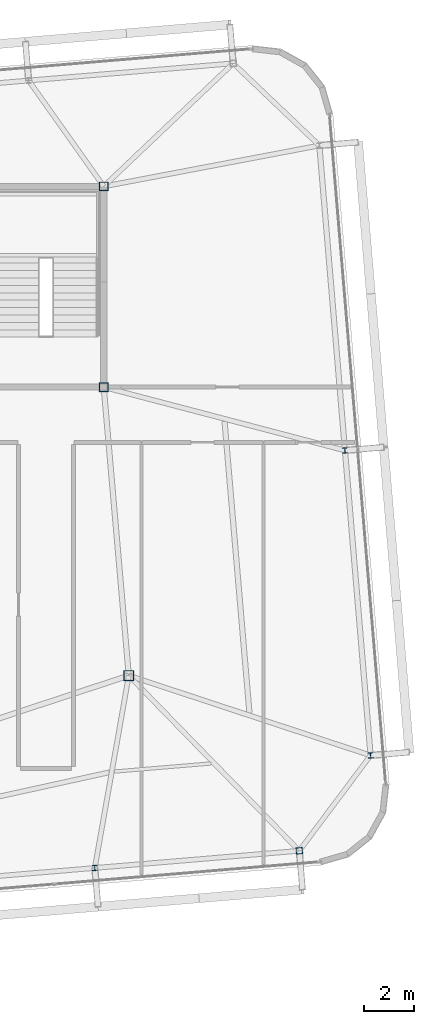
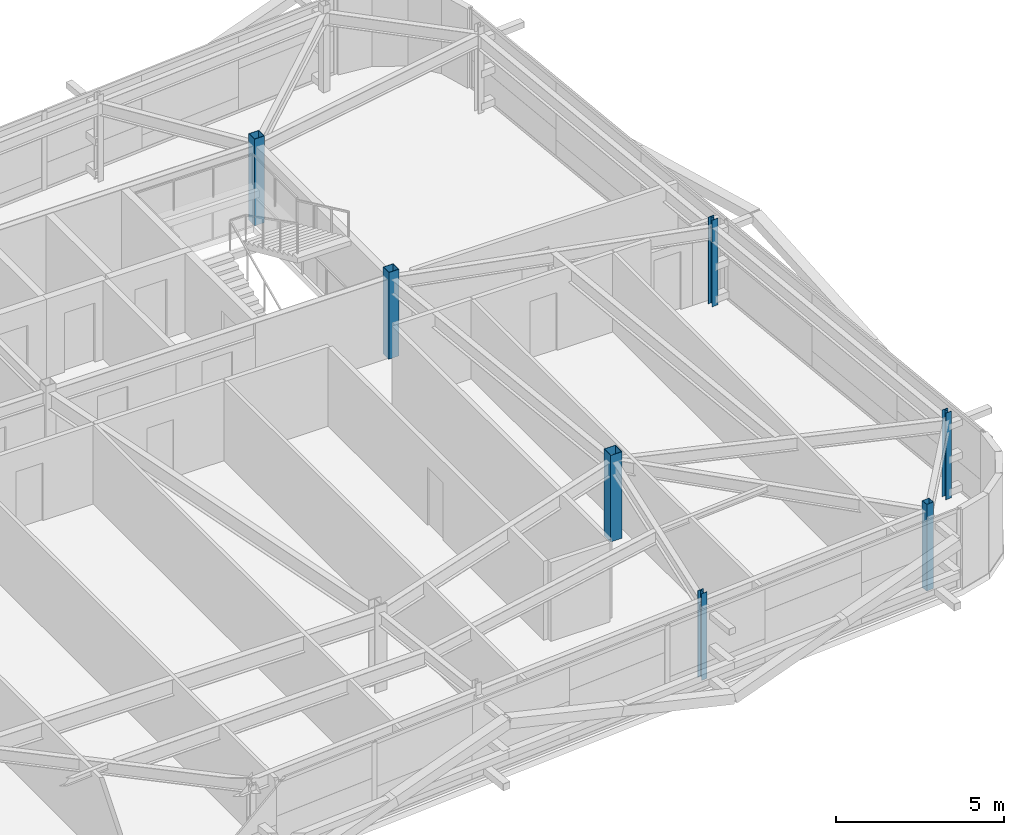
# One storey, part 4 of 39: 7 columns.
"""IFC4 building model written with IfcOpenShell, lengths in metres."""

from ifc_helpers import new_model, si_unit, direction, frame, origin, origin_2d, place, context, subcontext, project, spatial, hollow_rectangle, i_section, extrude, source, transform, mapped, material, material_profile, profile_set, type_object, element, save


model = new_model("IFC4")

# Units and contexts
model_context = context("Model", 3, precision=1e-05, world=origin(), true_north=direction((0.0, 1.0)))
body_context = subcontext(model_context, "Body", "Model", "MODEL_VIEW")
ifc_project = project(units=[si_unit("LENGTHUNIT", "METRE"), si_unit("AREAUNIT", "SQUARE_METRE"), si_unit("VOLUMEUNIT", "CUBIC_METRE"), si_unit("PLANEANGLEUNIT", "RADIAN"), si_unit("MASSUNIT", "GRAM", prefix="KILO")], contexts=[model_context])

# Site, building, storey
site_placement = place(None, origin())
site = spatial("IfcSite", under=ifc_project, at=site_placement, CompositionType="ELEMENT")
building_placement = place(site_placement, origin())
building = spatial("IfcBuilding", under=site, at=building_placement, Name="Taldren Reach Tower", CompositionType="ELEMENT")
storey_placement = place(building_placement, frame((0.0, 0.0, 204.050048828125)))
storey = spatial("IfcBuildingStorey", under=building, at=storey_placement, Name="L62", CompositionType="ELEMENT", Elevation=204.050048828125)

# Columns
ifc_material_1 = material(Name="Steel Gr 450 (C450L0)", Category="steel")
ifc_material_profile_1 = material_profile(ifc_material_1, hollow_rectangle(XDim=0.39990234375, YDim=0.39990234375, WallThickness=0.01611328125, at=origin_2d()), Name="400x400x16.0SHS")
ifc_profile_set_1 = profile_set([ifc_material_profile_1], Name="Steel Gr 450 (C450L0)")
column_type_1 = type_object("IfcColumnType", Name="COL-SHS400", PredefinedType="COLUMN", material=ifc_profile_set_1)
shared_shape_1 = source(origin(), body_context, "Body", "SweptSolid", [
    extrude(hollow_rectangle(XDim=0.39990234375, YDim=0.39990234375, WallThickness=0.01611328125, at=origin_2d()), origin(), (0.0, 0.0, 1.0), 3.14990234375),
])
column_1_placement = place(storey_placement, frame((52.0, 12.5, 0.0), z_axis=(0.0, 0.0, 1.0), x_axis=(1.0, 0.0, 0.0)))
element("IfcColumn", 1, at=column_1_placement, inside=storey, type_object=column_type_1, Name="Mega column MC-SE L62", PredefinedType="COLUMN", context=body_context, shape_type="MappedRepresentation", body=[
    mapped(shared_shape_1, transform((0.0, 0.0, 0.0), scale=1.0)),
])
ifc_material_profile_2 = material_profile(ifc_material_1, hollow_rectangle(XDim=0.35009765625, YDim=0.35009765625, WallThickness=0.01611328125, at=origin_2d()), Name="350x350x16.0SHS")
ifc_profile_set_2 = profile_set([ifc_material_profile_2], Name="Steel Gr 450 (C450L0)")
column_type_2 = type_object("IfcColumnType", Name="COL-SHS350", PredefinedType="COLUMN", material=ifc_profile_set_2)
shared_shape_2 = source(origin(), body_context, "Body", "SweptSolid", [
    extrude(hollow_rectangle(XDim=0.35009765625, YDim=0.35009765625, WallThickness=0.01611328125, at=origin_2d()), origin(), (0.0, 0.0, 1.0), 3.14990234375),
])
for number, where, z_axis, x_axis, name in (
    (2, (51.0, 24.0, 0.0), (0.0, 0.0, 1.0), (1.0, 0.0, 0.0), "Mega column MC-C4 L62"),
    (3, (51.0, 32.0, 0.0), (0.0, 0.0, 1.0), (1.0, 0.0, 0.0), "Mega column MC-C8 L62"),
):
    element("IfcColumn", number, at=place(storey_placement, frame(where, z_axis=z_axis, x_axis=x_axis)), inside=storey, type_object=column_type_2, Name=name, PredefinedType="COLUMN", context=body_context, shape_type="MappedRepresentation", body=[
        mapped(shared_shape_2, transform((0.0, 0.0, 0.0), scale=1.0)),
    ])
ifc_material_2 = material(Name="Steel Gr 350 (C350L0)", Category="steel")
ifc_material_profile_3 = material_profile(ifc_material_2, hollow_rectangle(XDim=0.25, YDim=0.25, WallThickness=0.010009765625, at=origin_2d()), Name="250x250x10.0SHS")
ifc_profile_set_3 = profile_set([ifc_material_profile_3], Name="Steel Gr 350 (C350L0)")
column_type_3 = type_object("IfcColumnType", Name="COL-SHS250", PredefinedType="COLUMN", material=ifc_profile_set_3)
shared_shape_3 = source(origin(), body_context, "Body", "SweptSolid", [
    extrude(hollow_rectangle(XDim=0.25, YDim=0.25, WallThickness=0.010009765625, at=origin_2d()), origin(), (0.0, 0.0, 1.0), 3.14990234375),
])
column_2_placement = place(storey_placement, frame((58.796142578125, 5.516357421875, 0.0), z_axis=(0.0, 0.0, 1.0), x_axis=(0.99649285925, 0.083677843332, 0.0)))
element("IfcColumn", 4, at=column_2_placement, inside=storey, type_object=column_type_3, Name="Block B4 perimeter column S6 L62", PredefinedType="COLUMN", context=body_context, shape_type="MappedRepresentation", body=[
    mapped(shared_shape_3, transform((0.0, 0.0, 0.0), scale=1.0)),
])
ifc_material_3 = material(Name="Steel Gr 350 (350PLUS)", Category="steel")
ifc_material_profile_4 = material_profile(ifc_material_3, i_section(OverallWidth=0.205078125, OverallDepth=0.2099609375, WebThickness=0.00927734375, FlangeThickness=0.01416015625, at=origin_2d()), Name="200UC59.5")
ifc_profile_set_4 = profile_set([ifc_material_profile_4], Name="Steel Gr 350 (350PLUS)")
column_type_4 = type_object("IfcColumnType", Name="COL-UC200", PredefinedType="COLUMN", material=ifc_profile_set_4)
shared_shape_4 = source(origin(), body_context, "Body", "SweptSolid", [
    extrude(i_section(OverallWidth=0.205078125, OverallDepth=0.2099609375, WebThickness=0.00927734375, FlangeThickness=0.01416015625, at=origin_2d()), origin(), (0.0, 0.0, 1.0), 3.14990234375),
])
for number, where, z_axis, x_axis, name in (
    (5, (50.644775390625, 4.83203125, 0.0), (0.0, 0.0, 1.0), (0.99649285925, 0.083677843332, 0.0), "Block B4 perimeter column S5 L62"),
    (6, (61.63818359375, 9.317626953125, 0.0), (0.0, 0.0, 1.0), (0.99649285925, 0.083677843332, 0.0), "Block B4 perimeter column E1 L62"),
    (7, (60.6171875, 21.474853515625, 0.0), (0.0, 0.0, 1.0), (0.99649285925, 0.083677843332, 0.0), "Block B4 perimeter column E2 L62"),
):
    element("IfcColumn", number, at=place(storey_placement, frame(where, z_axis=z_axis, x_axis=x_axis)), inside=storey, type_object=column_type_4, Name=name, PredefinedType="COLUMN", context=body_context, shape_type="MappedRepresentation", body=[
        mapped(shared_shape_4, transform((0.0, 0.0, 0.0), scale=1.0)),
    ])

save(model, "model.ifc")
